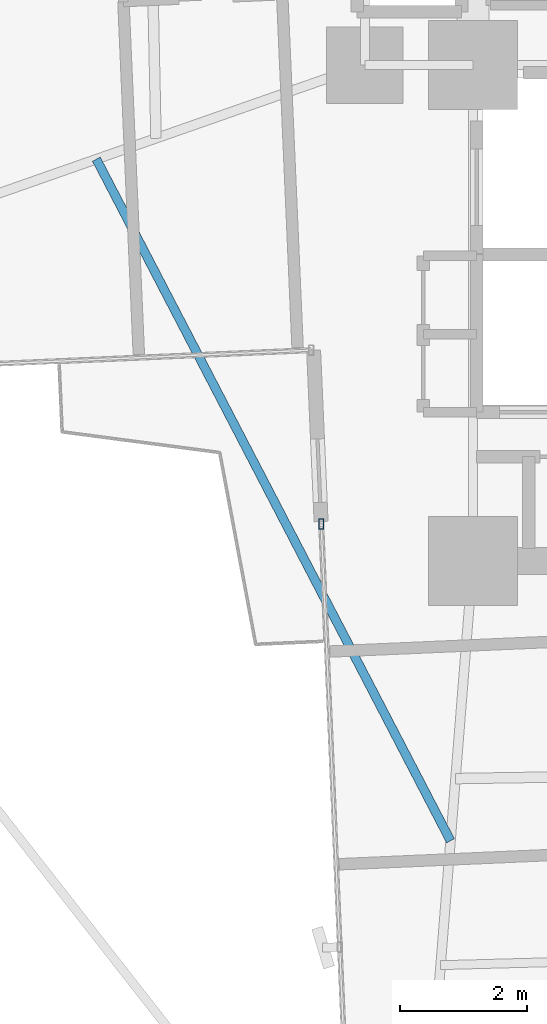
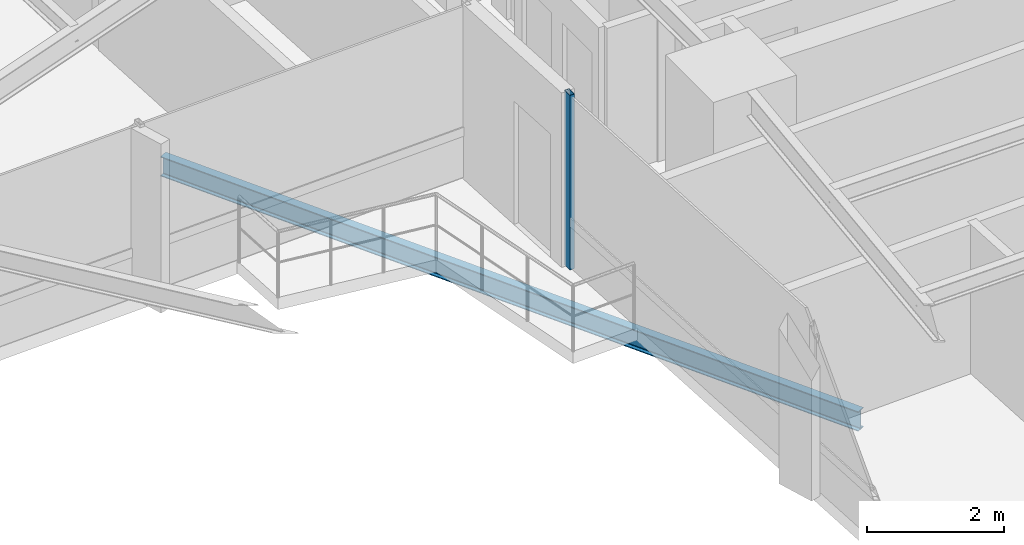
# One storey, part 5 of 26: 1 beam, 1 member, 1 element without a shape of its own.
"""IFC4 building model written with IfcOpenShell, lengths in metres."""

from ifc_helpers import new_model, si_unit, direction, frame, origin, origin_2d, place, context, subcontext, project, spatial, hollow_rectangle, i_section, extrude, source, transform, mapped, material, material_profile, profile_set, type_object, element, aggregate, save


model = new_model("IFC4")

# Units and contexts
model_context = context("Model", 3, precision=1e-05, world=origin(), true_north=direction((0.0, 1.0)))
body_context = subcontext(model_context, "Body", "Model", "MODEL_VIEW")
ifc_project = project(units=[si_unit("LENGTHUNIT", "METRE"), si_unit("AREAUNIT", "SQUARE_METRE"), si_unit("VOLUMEUNIT", "CUBIC_METRE"), si_unit("PLANEANGLEUNIT", "RADIAN"), si_unit("MASSUNIT", "GRAM", prefix="KILO")], contexts=[model_context])

# Site, building, storey
site_placement = place(None, origin())
site = spatial("IfcSite", under=ifc_project, at=site_placement, CompositionType="ELEMENT")
building_placement = place(site_placement, origin())
building = spatial("IfcBuilding", under=site, at=building_placement, Name="Sahyath Konkavel Grand Hotel", CompositionType="ELEMENT")
storey_placement = place(building_placement, frame((0.0, 0.0, 118.14990234375)))
storey = spatial("IfcBuildingStorey", under=building, at=storey_placement, Name="L32", CompositionType="ELEMENT", Elevation=118.14990234375)

# Curtain wall, member
ifc_material_1 = material(Name="Anodised Bronze Aluminium & Low-E Glazing", Category="aluminium")
curtain_wall_type = type_object("IfcCurtainWallType", Name="CW-ZONE2", PredefinedType="NOTDEFINED", material=ifc_material_1)
curtain_wall_placement = place(storey_placement, origin())
curtain_wall = element("IfcCurtainWall", 1, at=curtain_wall_placement, inside=storey, type_object=curtain_wall_type, Name="L32 Unitised Curtain Wall F24", PredefinedType="NOTDEFINED")
ifc_material_2 = material(Name="Anodised Bronze Aluminium", Category="aluminium")
ifc_material_profile_1 = material_profile(ifc_material_2, hollow_rectangle(XDim=0.080078125, YDim=0.159912109375, WallThickness=0.006103515625, at=origin_2d()), Name="RHS 160x80x6")
ifc_profile_set_1 = profile_set([ifc_material_profile_1], Name="Anodised Bronze Aluminium")
member_type = type_object("IfcMemberType", Name="CW-MUL-160", PredefinedType="MULLION", material=ifc_profile_set_1)
shared_shape_1 = source(origin(), body_context, "Body", "SweptSolid", [
    extrude(hollow_rectangle(XDim=0.080078125, YDim=0.159912109375, WallThickness=0.006103515625, at=origin_2d()), origin(), (0.0, 0.0, 1.0), 3.110107421875),
])
member_placement = place(storey_placement, frame((-6.186279296875, -9.618896484375, 0.0), z_axis=(0.0, 0.0, 1.0), x_axis=(1.0, 0.0, 0.0)))
member = element("IfcMember", 2, at=member_placement, type_object=member_type, Name="L32 Curtain Wall Mullion F24-0", PredefinedType="MULLION", context=body_context, shape_type="MappedRepresentation", body=[
    mapped(shared_shape_1, transform((0.0, 0.0, 0.0), scale=1.0)),
])
aggregate(curtain_wall, [member])

# Beam
ifc_material_3 = material(Name="Steel E350", Category="steel")
ifc_material_profile_2 = material_profile(ifc_material_3, i_section(OverallWidth=0.139892578125, OverallDepth=0.35009765625, WebThickness=0.008056640625, FlangeThickness=0.01416015625, FilletRadius=0.013916015625, at=origin_2d()), Name="ISMB 350")
ifc_profile_set_2 = profile_set([ifc_material_profile_2], Name="Steel E350")
beam_type = type_object("IfcBeamType", Name="BM-BALC-CANT", PredefinedType="BEAM", material=ifc_profile_set_2)
shared_shape_2 = source(origin(), body_context, "Body", "SweptSolid", [
    extrude(i_section(OverallWidth=0.139892578125, OverallDepth=0.35009765625, WebThickness=0.008056640625, FlangeThickness=0.01416015625, FilletRadius=0.013916015625, at=origin_2d()), origin(), (0.0, 0.0, 1.0), 12.085205078125),
])
beam_placement = place(storey_placement, frame((-9.7236328125, -3.87890625, -0.414794921875), z_axis=(0.461082384626, -0.887357331962, 0.0), x_axis=(0.887357331962, 0.461082384626, 0.0)))
element("IfcBeam", 3, at=beam_placement, inside=storey, type_object=beam_type, Name="L32 Balcony Cantilever Support Beam SW", PredefinedType="BEAM", context=body_context, shape_type="MappedRepresentation", body=[
    mapped(shared_shape_2, transform((0.0, 0.0, 0.0), scale=1.0)),
])

save(model, "model.ifc")
